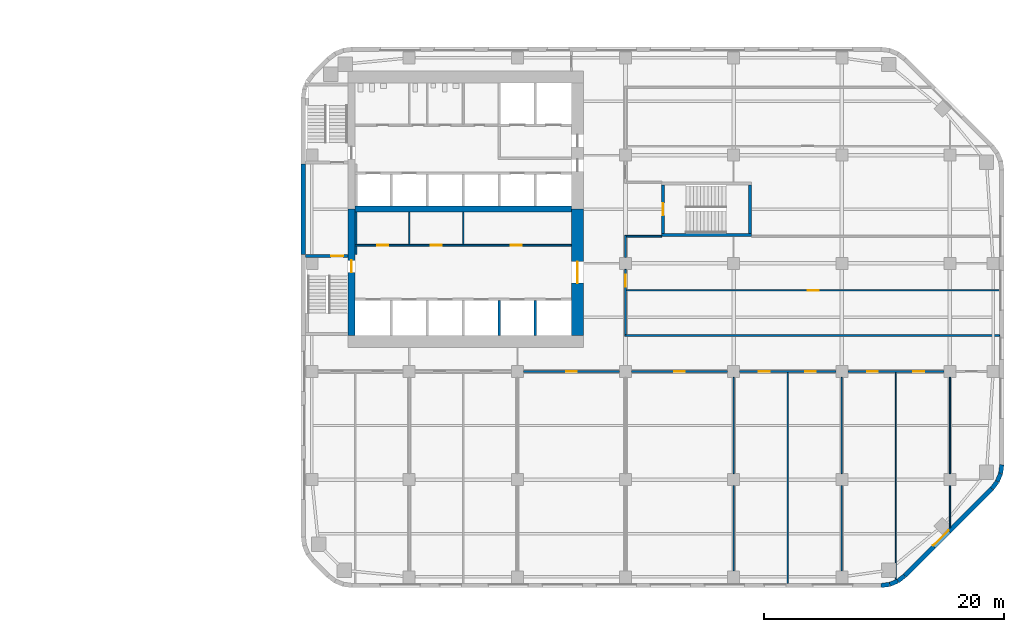
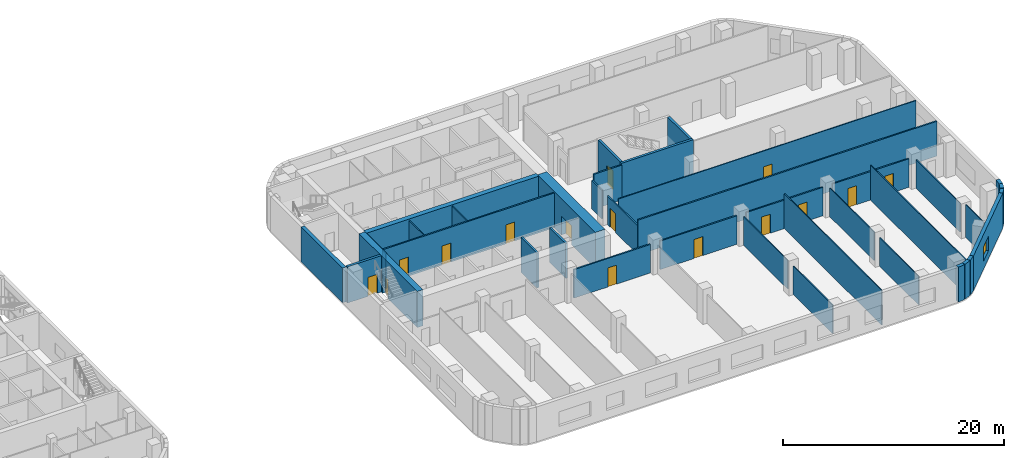
# One storey, part 9 of 15: 39 walls, 15 doors, 1 window, 16 openings.
"""IFC4 building model written with IfcOpenShell, lengths in metres."""

import ifcopenshell
import ifcopenshell.guid

model = None  # the IFC model being written
_history = None  # IfcOwnerHistory: only IFC2X3 demands one
_inside = {}  # id of a spatial element -> (the spatial element, [elements in it])
_under = {}  # id of a project, library or spatial element -> (it, [spatial elements below it])
_declared = {}  # id of a project -> (the project, [libraries it declares])
_typed = {}  # id of a type object -> (the type object, [elements of that type])
_made_of = {}  # id of a material, layer set ... -> (it, [elements and type objects made of it])


def new_model(schema):
    """Start an empty IFC model of exactly this schema.

    Asked for "IFC4X3", IfcOpenShell would pick the latest addendum, in which some entities
    have other attributes; the version numbers below select the first issue.
    IFC2X3 requires an IfcOwnerHistory on every rooted entity: one is made here for all.
    """
    global model, _history
    if schema == "IFC4X3":
        model = ifcopenshell.file(schema_version=(4, 3, 0, 0))
    else:
        model = ifcopenshell.file(schema=schema)
    _inside.clear()
    _under.clear()
    _declared.clear()
    _typed.clear()
    _made_of.clear()
    _history = None
    if model.schema == "IFC2X3":
        org = make("IfcOrganization", Name="unknown")
        user = make(
            "IfcPersonAndOrganization",
            ThePerson=make("IfcPerson", FamilyName="unknown"),
            TheOrganization=org,
        )
        app = make(
            "IfcApplication",
            ApplicationDeveloper=org,
            Version="unknown",
            ApplicationFullName="unknown",
            ApplicationIdentifier="unknown",
        )
        _history = make(
            "IfcOwnerHistory",
            OwningUser=user,
            OwningApplication=app,
            ChangeAction="ADDED",
            CreationDate=0,
        )
    return model


def make(cls, **values):
    """One entity of the class cls with the attributes given. An attribute that is None is left unset."""
    return model.create_entity(
        cls, **{name: value for name, value in values.items() if value is not None}
    )


def rooted(cls, **values):
    """An entity with a GlobalId (a new one), such as an element, a storey or a relation."""
    return make(cls, GlobalId=ifcopenshell.guid.new(), OwnerHistory=_history, **values)


def si_unit(unit_type, name, prefix=None):
    """IfcSIUnit, for example si_unit("LENGTHUNIT", "METRE", prefix="MILLI")."""
    return make("IfcSIUnit", UnitType=unit_type, Prefix=prefix, Name=name)


def assignment(units):
    """IfcUnitAssignment: the units of a project."""
    return None if units is None else make("IfcUnitAssignment", Units=units)


def point(xyz):
    """IfcCartesianPoint."""
    return None if xyz is None else make("IfcCartesianPoint", Coordinates=xyz)


def direction(xyz):
    """IfcDirection."""
    return None if xyz is None else make("IfcDirection", DirectionRatios=xyz)


def frame(location, z_axis=None, x_axis=None):
    """IfcAxis2Placement3D, a coordinate frame: its origin and axes. An axis left out is left unset."""
    return make(
        "IfcAxis2Placement3D",
        Location=point(location),
        Axis=direction(z_axis),
        RefDirection=direction(x_axis),
    )


def frame_2d(location, x_axis=None):
    """IfcAxis2Placement2D, a coordinate frame in the plane: its origin and x axis."""
    return make(
        "IfcAxis2Placement2D", Location=point(location), RefDirection=direction(x_axis)
    )


def origin():
    """The frame at (0, 0, 0) with its axes left unset."""
    return frame((0.0, 0.0, 0.0))


def place(relative_to, where):
    """IfcLocalPlacement: puts the frame where relative to a parent placement (None: the world)."""
    return make(
        "IfcLocalPlacement", PlacementRelTo=relative_to, RelativePlacement=where
    )


def context(
    kind, dimensions, precision=None, world=None, true_north=None, identifier=None
):
    """IfcGeometricRepresentationContext, for example the 3D "Model" context."""
    return make(
        "IfcGeometricRepresentationContext",
        ContextIdentifier=identifier,
        ContextType=kind,
        CoordinateSpaceDimension=dimensions,
        Precision=precision,
        WorldCoordinateSystem=world,
        TrueNorth=true_north,
    )


def subcontext(parent, identifier, kind, view, scale=None):
    """IfcGeometricRepresentationSubContext, for example "Body" below "Model"."""
    return make(
        "IfcGeometricRepresentationSubContext",
        ContextIdentifier=identifier,
        ContextType=kind,
        ParentContext=parent,
        TargetScale=scale,
        TargetView=view,
    )


def project(units=None, contexts=None):
    """IfcProject with its units and contexts."""
    return rooted(
        "IfcProject",
        Name="project",
        RepresentationContexts=contexts,
        UnitsInContext=assignment(units),
    )


def spatial(cls, under=None, at=None, **own):
    """A site, building, storey or space (cls), placed at a placement, below another one or the project."""
    s = rooted(cls, ObjectPlacement=at, **own)
    if under is not None:
        _under.setdefault(under.id(), (under, []))[1].append(s)
    return s


def profile(cls, at=None, kind="AREA", **sizes):
    """A parametric profile (cls). Its sizes go by their IFC names, for example OverallWidth=200.0."""
    return make(cls, ProfileType=kind, Position=at, **sizes)


def rectangle(**sizes):
    """IfcRectangleProfileDef."""
    return profile("IfcRectangleProfileDef", **sizes)


def extrude(swept, where, along, depth):
    """IfcExtrudedAreaSolid: the profile swept, set in the frame where, extruded along a direction by depth."""
    return make(
        "IfcExtrudedAreaSolid",
        SweptArea=swept,
        Position=where,
        ExtrudedDirection=direction(along),
        Depth=depth,
    )


def shape(context_of_items, identifier, shape_type, items):
    """IfcShapeRepresentation: the items that make up one representation, for example the "Body"."""
    return make(
        "IfcShapeRepresentation",
        ContextOfItems=context_of_items,
        RepresentationIdentifier=identifier,
        RepresentationType=shape_type,
        Items=items,
    )


def material(Name=None, Category=None):
    """IfcMaterial."""
    return make("IfcMaterial", Name=Name, Category=Category)


def layer(
    of_material, thickness, ventilated=None, Name=None, Category=None, Priority=None
):
    """IfcMaterialLayer: one layer of a wall or slab, of a material (None: an air gap)."""
    return make(
        "IfcMaterialLayer",
        Material=of_material,
        LayerThickness=thickness,
        IsVentilated=ventilated,
        Name=Name,
        Category=Category,
        Priority=Priority,
    )


def layer_set(layers, Name=None):
    """IfcMaterialLayerSet."""
    return make("IfcMaterialLayerSet", MaterialLayers=layers, LayerSetName=Name)


def made_of(thing, what):
    """Note that an element or type object is made of a material, layer set ...; save() writes the relation."""
    if what is not None:
        _made_of.setdefault(what.id(), (what, []))[1].append(thing)
    return thing


def type_object(cls, material=None, **own):
    """A type object (cls), such as IfcWallType, which elements share."""
    return made_of(rooted(cls, **own), material)


def element(
    cls,
    number,
    at=None,
    inside=None,
    cuts=None,
    type_object=None,
    material=None,
    context=None,
    identifier="Body",
    shape_type=None,
    held_by="IfcProductDefinitionShape",
    body=None,
    shapes=None,
    **own,
):
    """One element of the class cls, such as IfcWall. Its Tag is "e" and its number.

    at: its placement. inside: the storey or other place that contains it. cuts: it is an
    opening in that element (IfcRelVoidsElement). A single representation is given by context,
    identifier, shape_type and body (its items); several are given by shapes. held_by: the class
    of the entity that holds the representations. save() writes the other relations.
    """
    e = rooted(cls, Tag="e%d" % number, ObjectPlacement=at, **own)
    if body is not None:
        shapes = [shape(context, identifier, shape_type, body)]
    if shapes is not None:
        e.Representation = make(held_by, Representations=shapes)
    if inside is not None:
        _inside.setdefault(inside.id(), (inside, []))[1].append(e)
    if cuts is not None:
        rooted(
            "IfcRelVoidsElement", RelatingBuildingElement=cuts, RelatedOpeningElement=e
        )
    if type_object is not None:
        _typed.setdefault(type_object.id(), (type_object, []))[1].append(e)
    return made_of(e, material)


def fill(opening, filler):
    """IfcRelFillsElement: the door or window that sits in an opening."""
    return rooted(
        "IfcRelFillsElement",
        RelatingOpeningElement=opening,
        RelatedBuildingElement=filler,
    )


def aggregate(whole, parts):
    """IfcRelAggregates: a whole, such as a stair, and the parts it consists of."""
    return rooted("IfcRelAggregates", RelatingObject=whole, RelatedObjects=parts)


def save(model, path):
    """Write the relations noted so far, then the file.

    IfcRelAggregates (storeys below a building ...), IfcRelContainedInSpatialStructure (elements
    in a storey), IfcRelDefinesByType, IfcRelAssociatesMaterial and IfcRelDeclares: one each for
    every whole, place, type object, material and project.
    """
    for whole, parts in _under.values():
        aggregate(whole, parts)
    for where, things in _inside.values():
        rooted(
            "IfcRelContainedInSpatialStructure",
            RelatedElements=things,
            RelatingStructure=where,
        )
    for kind, things in _typed.values():
        rooted("IfcRelDefinesByType", RelatedObjects=things, RelatingType=kind)
    for what, things in _made_of.values():
        rooted("IfcRelAssociatesMaterial", RelatedObjects=things, RelatingMaterial=what)
    for by, libraries in _declared.values():
        rooted("IfcRelDeclares", RelatingContext=by, RelatedDefinitions=libraries)
    model.write(path)


model = new_model("IFC4")

# Units and contexts
model_context = context("Model", 3, precision=1e-05, world=origin(), true_north=direction((0.0, 1.0)))
body_context = subcontext(model_context, "Body", "Model", "MODEL_VIEW")
ifc_project = project(units=[si_unit("LENGTHUNIT", "METRE"), si_unit("AREAUNIT", "SQUARE_METRE"), si_unit("VOLUMEUNIT", "CUBIC_METRE"), si_unit("PLANEANGLEUNIT", "RADIAN"), si_unit("MASSUNIT", "GRAM", prefix="KILO")], contexts=[model_context])

# Site, building, storey
site_placement = place(None, origin())
site = spatial("IfcSite", under=ifc_project, at=site_placement, CompositionType="ELEMENT")
building_placement = place(site_placement, origin())
building = spatial("IfcBuilding", under=site, at=building_placement, Name="Cinnabar Reach Civic Tower", CompositionType="ELEMENT")
storey_placement = place(building_placement, frame((0.0, 0.0, 59.0)))
storey = spatial("IfcBuildingStorey", under=building, at=storey_placement, Name="L13", CompositionType="ELEMENT", Elevation=59.0)

# Walls
ifc_material_1 = material(Name="Facing brick with insulated backing", Category="masonry")
ifc_layer_1 = layer(ifc_material_1, 0.36)
ifc_layer_set_1 = layer_set([ifc_layer_1], Name="Brick corner wall")
wall_type_1 = type_object("IfcWallType", Name="Brick corner wall", PredefinedType="STANDARD", material=ifc_layer_set_1)
for number, where, z_axis, x_axis, name in (
    (1, (48.2686, 0.183, 0.0), (0.0, 0.0, 1.0), (0.99144092581, 0.13055608231, 0.0), "Brick corner wall"),
    (2, (48.9973, 0.2819, 0.0), (0.0, 0.0, 1.0), (0.923871547278, 0.382702709855, 0.0), "Brick corner wall"),
):
    element("IfcWall", number, at=place(storey_placement, frame(where, z_axis=z_axis, x_axis=x_axis)), inside=storey, type_object=wall_type_1, Name=name, PredefinedType="STANDARD", context=body_context, shape_type="SweptSolid", body=[
        extrude(rectangle(XDim=0.7131, YDim=0.36, at=frame_2d((0.3565, 0.0))), origin(), (0.0, 0.0, 1.0), 3.85),
    ])
for number, where, z_axis, x_axis, name in (
    (3, (49.6755, 0.566, 0.0), (0.0, 0.0, 1.0), (0.793321924995, 0.608802368033, 0.0), "Brick corner wall"),
    (4, (57.4998, 8.2587, 0.0), (0.0, 0.0, 1.0), (0.608802368033, 0.793321924995, 0.0), "Brick corner wall"),
):
    element("IfcWall", number, at=place(storey_placement, frame(where, z_axis=z_axis, x_axis=x_axis)), inside=storey, type_object=wall_type_1, Name=name, PredefinedType="STANDARD", context=body_context, shape_type="SweptSolid", body=[
        extrude(rectangle(XDim=0.7132, YDim=0.36, at=frame_2d((0.3566, 0.0))), origin(), (0.0, 0.0, 1.0), 3.85),
    ])
for number, where, z_axis, x_axis, name in (
    (5, (57.9452, 8.8439, 0.0), (0.0, 0.0, 1.0), (0.382702709855, 0.923871547278, 0.0), "Brick corner wall"),
    (6, (58.2239, 9.5244, 0.0), (0.0, 0.0, 1.0), (0.13055608231, 0.99144092581, 0.0), "Brick corner wall"),
):
    element("IfcWall", number, at=place(storey_placement, frame(where, z_axis=z_axis, x_axis=x_axis)), inside=storey, type_object=wall_type_1, Name=name, PredefinedType="STANDARD", context=body_context, shape_type="SweptSolid", body=[
        extrude(rectangle(XDim=0.7131, YDim=0.36, at=frame_2d((0.3565, 0.0))), origin(), (0.0, 0.0, 1.0), 3.85),
    ])

# Wall, opening, window
ifc_layer_2 = layer(ifc_material_1, 0.36)
ifc_layer_set_2 = layer_set([ifc_layer_2], Name="Brick pier and spandrel wall")
wall_type_2 = type_object("IfcWallType", Name="Brick pier and spandrel wall", PredefinedType="STANDARD", material=ifc_layer_set_2)
wall_1_placement = place(storey_placement, frame((50.2514, 1.006, 0.0), z_axis=(0.0, 0.0, 1.0), x_axis=(0.707106781187, 0.707106781187, 0.0)))
wall_1 = element("IfcWall", 7, at=wall_1_placement, inside=storey, type_object=wall_type_2, Name="Brick facade wall", PredefinedType="STANDARD", context=body_context, shape_type="SweptSolid", body=[
    extrude(rectangle(XDim=10.2426, YDim=0.36, at=frame_2d((5.1213, 0.0))), origin(), (0.0, 0.0, 1.0), 3.85),
])
opening_1_placement = place(wall_1_placement, frame((3.4213, 0.0, 0.9)))
opening_1 = element("IfcOpeningElement", 8, at=opening_1_placement, cuts=wall_1, Name="Opening W1222", PredefinedType="OPENING", context=body_context, shape_type="SweptSolid", body=[
    extrude(rectangle(XDim=1.8, YDim=1.6, at=frame_2d((0.9, 0.8))), frame((0.0, 0.19, 0.0), z_axis=(0.0, -1.0, 0.0), x_axis=(1.0, 0.0, 0.0)), (0.0, 0.0, 1.0), 0.38),
])
ifc_material_2 = material(Name="Clear double glazing in aluminium frame", Category="aluminium")
window_type = type_object("IfcWindowType", Name="Deep-set window D", PartitioningType="SINGLE_PANEL", PredefinedType="WINDOW", material=ifc_material_2)
window_placement = place(opening_1_placement, origin())
window = element("IfcWindow", 9, at=window_placement, inside=storey, type_object=window_type, Name="Window southeast face", OverallHeight=1.6, OverallWidth=1.8, PartitioningType="SINGLE_PANEL", PredefinedType="WINDOW", context=body_context, shape_type="SweptSolid", body=[
    extrude(rectangle(XDim=1.8, YDim=1.6, at=frame_2d((0.9, 0.8))), frame((0.0, 0.13, 0.0), z_axis=(0.0, -1.0, 0.0), x_axis=(1.0, 0.0, 0.0)), (0.0, 0.0, 1.0), 0.06),
])
fill(opening_1, window)

# Wall
wall_2_placement = place(storey_placement, frame((0.18, 35.25, 0.0), z_axis=(0.0, 0.0, 1.0), x_axis=(0.0, -1.0, 0.0)))
element("IfcWall", 10, at=wall_2_placement, inside=storey, type_object=wall_type_2, Name="Brick facade wall", PredefinedType="STANDARD", context=body_context, shape_type="SweptSolid", body=[
    extrude(rectangle(XDim=7.5, YDim=0.36, at=frame_2d((3.75, 0.0))), origin(), (0.0, 0.0, 1.0), 3.85),
])

# Wall, opening, door
ifc_material_3 = material(Name="Concrete C70", Category="concrete")
ifc_layer_3 = layer(ifc_material_3, 1.0)
ifc_layer_set_3 = layer_set([ifc_layer_3], Name="Core wall 1000 EI 180")
wall_type_3 = type_object("IfcWallType", Name="Core wall 1000 EI 180", PredefinedType="SOLIDWALL", material=ifc_layer_set_3)
wall_3_placement = place(storey_placement, frame((23.0, 21.0, 0.0), z_axis=(0.0, 0.0, 1.0), x_axis=(0.0, 1.0, 0.0)))
wall_3 = element("IfcWall", 11, at=wall_3_placement, inside=storey, type_object=wall_type_3, Name="Core wall T1 L13 E", PredefinedType="SOLIDWALL", context=body_context, shape_type="SweptSolid", body=[
    extrude(rectangle(XDim=10.5, YDim=1.0, at=frame_2d((5.25, 0.0))), origin(), (0.0, 0.0, 1.0), 4.0),
])
opening_2_placement = place(wall_3_placement, frame((4.35, 0.0, 0.0)))
opening_2 = element("IfcOpeningElement", 12, at=opening_2_placement, cuts=wall_3, Name="Opening D3532", PredefinedType="OPENING", context=body_context, shape_type="SweptSolid", body=[
    extrude(rectangle(XDim=1.8, YDim=2.1, at=frame_2d((0.9, 1.05))), frame((0.0, 0.51, 0.0), z_axis=(0.0, -1.0, 0.0), x_axis=(1.0, 0.0, 0.0)), (0.0, 0.0, 1.0), 1.02),
])
ifc_material_4 = material(Name="Timber door leaf in steel frame", Category="steel")
door_type_1 = type_object("IfcDoorType", Name="Double swing door 1800 x 2100 T1", OperationType="DOUBLE_DOOR_DOUBLE_SWING", PredefinedType="DOOR", material=ifc_material_4)
door_1_placement = place(opening_2_placement, origin())
door_1 = element("IfcDoor", 13, at=door_1_placement, inside=storey, type_object=door_type_1, Name="Door D3532", OperationType="DOUBLE_DOOR_DOUBLE_SWING", OverallHeight=2.1, OverallWidth=1.8, PredefinedType="DOOR", context=body_context, shape_type="SweptSolid", body=[
    extrude(rectangle(XDim=1.8, YDim=2.1, at=frame_2d((0.9, 1.05))), frame((0.0, 0.025, 0.0), z_axis=(0.0, -1.0, 0.0), x_axis=(1.0, 0.0, 0.0)), (0.0, 0.0, 1.0), 0.05),
])
fill(opening_2, door_1)

# Wall
ifc_material_5 = material(Name="Concrete C60", Category="concrete")
ifc_layer_4 = layer(ifc_material_5, 0.5)
ifc_layer_set_4 = layer_set([ifc_layer_4], Name="Core wall 500 EI 180")
wall_type_4 = type_object("IfcWallType", Name="Core wall 500 EI 180", PredefinedType="SOLIDWALL", material=ifc_layer_set_4)
wall_4_placement = place(storey_placement, frame((4.5, 31.5, 0.0), z_axis=(0.0, 0.0, 1.0), x_axis=(1.0, 0.0, 0.0)))
element("IfcWall", 14, at=wall_4_placement, inside=storey, type_object=wall_type_4, Name="Core spine wall T1 L13", PredefinedType="SOLIDWALL", context=body_context, shape_type="SweptSolid", body=[
    extrude(rectangle(XDim=18.0, YDim=0.5, at=frame_2d((9.0, 0.0))), origin(), (0.0, 0.0, 1.0), 4.0),
])

# Wall, opening, door
ifc_layer_5 = layer(ifc_material_3, 0.6)
ifc_layer_set_5 = layer_set([ifc_layer_5], Name="Core wall 600 EI 180")
wall_type_5 = type_object("IfcWallType", Name="Core wall 600 EI 180", PredefinedType="SOLIDWALL", material=ifc_layer_set_5)
wall_5_placement = place(storey_placement, frame((4.2, 31.5, 0.0), z_axis=(0.0, 0.0, 1.0), x_axis=(0.0, -1.0, 0.0)))
wall_5 = element("IfcWall", 15, at=wall_5_placement, inside=storey, type_object=wall_type_5, Name="Core wall T1 L13 W2", PredefinedType="SOLIDWALL", context=body_context, shape_type="SweptSolid", body=[
    extrude(rectangle(XDim=10.5, YDim=0.6, at=frame_2d((5.25, 0.0))), origin(), (0.0, 0.0, 1.0), 4.0),
])
opening_3_placement = place(wall_5_placement, frame((4.25, 0.0, 0.0)))
opening_3 = element("IfcOpeningElement", 16, at=opening_3_placement, cuts=wall_5, Name="Opening D3516", PredefinedType="OPENING", context=body_context, shape_type="SweptSolid", body=[
    extrude(rectangle(XDim=1.0, YDim=2.1, at=frame_2d((0.5, 1.05))), frame((0.0, 0.31, 0.0), z_axis=(0.0, -1.0, 0.0), x_axis=(1.0, 0.0, 0.0)), (0.0, 0.0, 1.0), 0.62),
])
door_type_2 = type_object("IfcDoorType", Name="Stair door 1000 x 2100 T1", OperationType="SINGLE_SWING_LEFT", PredefinedType="DOOR", material=ifc_material_4)
door_2_placement = place(opening_3_placement, frame((1.0, 0.0, 0.0), z_axis=(0.0, 0.0, 1.0), x_axis=(-1.0, 0.0, 0.0)))
door_2 = element("IfcDoor", 17, at=door_2_placement, inside=storey, type_object=door_type_2, Name="Door D3516", OperationType="SINGLE_SWING_RIGHT", OverallHeight=2.1, OverallWidth=1.0, PredefinedType="DOOR", context=body_context, shape_type="SweptSolid", body=[
    extrude(rectangle(XDim=1.0, YDim=2.1, at=frame_2d((0.5, 1.05))), frame((0.0, 0.025, 0.0), z_axis=(0.0, -1.0, 0.0), x_axis=(1.0, 0.0, 0.0)), (0.0, 0.0, 1.0), 0.05),
])
fill(opening_3, door_2)

# Wall, openings, doors
ifc_material_6 = material(Name="Gypsum board on steel studs, double layer", Category="steel")
ifc_layer_6 = layer(ifc_material_6, 0.15)
ifc_layer_set_6 = layer_set([ifc_layer_6], Name="Corridor wall 150 T1")
wall_type_6 = type_object("IfcWallType", Name="Corridor wall 150 T1", PredefinedType="PARTITIONING", material=ifc_layer_set_6)
wall_6_placement = place(storey_placement, frame((45.5, 18.0, 0.0), z_axis=(0.0, 0.0, 1.0), x_axis=(1.0, 0.0, 0.0)))
wall_6 = element("IfcWall", 18, at=wall_6_placement, inside=storey, type_object=wall_type_6, Name="Corridor wall 20", PredefinedType="PARTITIONING", context=body_context, shape_type="SweptSolid", body=[
    extrude(rectangle(XDim=8.0, YDim=0.15, at=frame_2d((4.0, 0.0))), origin(), (0.0, 0.0, 1.0), 3.15),
])
opening_4_placement = place(wall_6_placement, frame((1.6, 0.0, 0.0)))
opening_4 = element("IfcOpeningElement", 19, at=opening_4_placement, cuts=wall_6, Name="Opening D3555", PredefinedType="OPENING", context=body_context, shape_type="SweptSolid", body=[
    extrude(rectangle(XDim=0.9, YDim=2.1, at=frame_2d((0.45, 1.05))), frame((0.0, 0.085, 0.0), z_axis=(0.0, -1.0, 0.0), x_axis=(1.0, 0.0, 0.0)), (0.0, 0.0, 1.0), 0.17),
])
opening_5_placement = place(wall_6_placement, frame((5.45, 0.0, 0.0)))
opening_5 = element("IfcOpeningElement", 20, at=opening_5_placement, cuts=wall_6, Name="Opening D3556", PredefinedType="OPENING", context=body_context, shape_type="SweptSolid", body=[
    extrude(rectangle(XDim=0.9, YDim=2.1, at=frame_2d((0.45, 1.05))), frame((0.0, 0.085, 0.0), z_axis=(0.0, -1.0, 0.0), x_axis=(1.0, 0.0, 0.0)), (0.0, 0.0, 1.0), 0.17),
])
door_type_3 = type_object("IfcDoorType", Name="Single swing door 900 x 2100 corridor T1", OperationType="SINGLE_SWING_LEFT", PredefinedType="DOOR", material=ifc_material_4)
door_3_placement = place(opening_4_placement, frame((0.9, 0.0, 0.0), z_axis=(0.0, 0.0, 1.0), x_axis=(-1.0, 0.0, 0.0)))
door_3 = element("IfcDoor", 21, at=door_3_placement, inside=storey, type_object=door_type_3, Name="Door D3555", OperationType="SINGLE_SWING_LEFT", OverallHeight=2.1, OverallWidth=0.9, PredefinedType="DOOR", context=body_context, shape_type="SweptSolid", body=[
    extrude(rectangle(XDim=0.9, YDim=2.1, at=frame_2d((0.45, 1.05))), frame((0.0, 0.025, 0.0), z_axis=(0.0, -1.0, 0.0), x_axis=(1.0, 0.0, 0.0)), (0.0, 0.0, 1.0), 0.05),
])
fill(opening_4, door_3)
door_4_placement = place(opening_5_placement, frame((0.9, 0.0, 0.0), z_axis=(0.0, 0.0, 1.0), x_axis=(-1.0, 0.0, 0.0)))
door_4 = element("IfcDoor", 22, at=door_4_placement, inside=storey, type_object=door_type_3, Name="Door D3556", OperationType="SINGLE_SWING_RIGHT", OverallHeight=2.1, OverallWidth=0.9, PredefinedType="DOOR", context=body_context, shape_type="SweptSolid", body=[
    extrude(rectangle(XDim=0.9, YDim=2.1, at=frame_2d((0.45, 1.05))), frame((0.0, 0.025, 0.0), z_axis=(0.0, -1.0, 0.0), x_axis=(1.0, 0.0, 0.0)), (0.0, 0.0, 1.0), 0.05),
])
fill(opening_5, door_4)

wall_7_placement = place(storey_placement, frame((36.5, 18.0, 0.0), z_axis=(0.0, 0.0, 1.0), x_axis=(1.0, 0.0, 0.0)))
wall_7 = element("IfcWall", 23, at=wall_7_placement, inside=storey, type_object=wall_type_6, Name="Corridor wall 21", PredefinedType="PARTITIONING", context=body_context, shape_type="SweptSolid", body=[
    extrude(rectangle(XDim=8.0, YDim=0.15, at=frame_2d((4.0, 0.0))), origin(), (0.0, 0.0, 1.0), 3.15),
])
opening_6_placement = place(wall_7_placement, frame((1.6, 0.0, 0.0)))
opening_6 = element("IfcOpeningElement", 24, at=opening_6_placement, cuts=wall_7, Name="Opening D3553", PredefinedType="OPENING", context=body_context, shape_type="SweptSolid", body=[
    extrude(rectangle(XDim=0.9, YDim=2.1, at=frame_2d((0.45, 1.05))), frame((0.0, 0.085, 0.0), z_axis=(0.0, -1.0, 0.0), x_axis=(1.0, 0.0, 0.0)), (0.0, 0.0, 1.0), 0.17),
])
opening_7_placement = place(wall_7_placement, frame((5.45, 0.0, 0.0)))
opening_7 = element("IfcOpeningElement", 25, at=opening_7_placement, cuts=wall_7, Name="Opening D3554", PredefinedType="OPENING", context=body_context, shape_type="SweptSolid", body=[
    extrude(rectangle(XDim=0.9, YDim=2.1, at=frame_2d((0.45, 1.05))), frame((0.0, 0.085, 0.0), z_axis=(0.0, -1.0, 0.0), x_axis=(1.0, 0.0, 0.0)), (0.0, 0.0, 1.0), 0.17),
])
door_5_placement = place(opening_6_placement, frame((0.9, 0.0, 0.0), z_axis=(0.0, 0.0, 1.0), x_axis=(-1.0, 0.0, 0.0)))
door_5 = element("IfcDoor", 26, at=door_5_placement, inside=storey, type_object=door_type_3, Name="Door D3553", OperationType="SINGLE_SWING_LEFT", OverallHeight=2.1, OverallWidth=0.9, PredefinedType="DOOR", context=body_context, shape_type="SweptSolid", body=[
    extrude(rectangle(XDim=0.9, YDim=2.1, at=frame_2d((0.45, 1.05))), frame((0.0, 0.025, 0.0), z_axis=(0.0, -1.0, 0.0), x_axis=(1.0, 0.0, 0.0)), (0.0, 0.0, 1.0), 0.05),
])
fill(opening_6, door_5)
door_6_placement = place(opening_7_placement, frame((0.9, 0.0, 0.0), z_axis=(0.0, 0.0, 1.0), x_axis=(-1.0, 0.0, 0.0)))
door_6 = element("IfcDoor", 27, at=door_6_placement, inside=storey, type_object=door_type_3, Name="Door D3554", OperationType="SINGLE_SWING_LEFT", OverallHeight=2.1, OverallWidth=0.9, PredefinedType="DOOR", context=body_context, shape_type="SweptSolid", body=[
    extrude(rectangle(XDim=0.9, YDim=2.1, at=frame_2d((0.45, 1.05))), frame((0.0, 0.025, 0.0), z_axis=(0.0, -1.0, 0.0), x_axis=(1.0, 0.0, 0.0)), (0.0, 0.0, 1.0), 0.05),
])
fill(opening_7, door_6)

# Wall, opening, door
wall_8_placement = place(storey_placement, frame((27.5, 18.0, 0.0), z_axis=(0.0, 0.0, 1.0), x_axis=(1.0, 0.0, 0.0)))
wall_8 = element("IfcWall", 28, at=wall_8_placement, inside=storey, type_object=wall_type_6, Name="Corridor wall 22", PredefinedType="PARTITIONING", context=body_context, shape_type="SweptSolid", body=[
    extrude(rectangle(XDim=8.0, YDim=0.15, at=frame_2d((4.0, 0.0))), origin(), (0.0, 0.0, 1.0), 3.15),
])
opening_8_placement = place(wall_8_placement, frame((3.55, 0.0, 0.0)))
opening_8 = element("IfcOpeningElement", 29, at=opening_8_placement, cuts=wall_8, Name="Opening D3552", PredefinedType="OPENING", context=body_context, shape_type="SweptSolid", body=[
    extrude(rectangle(XDim=0.9, YDim=2.1, at=frame_2d((0.45, 1.05))), frame((0.0, 0.085, 0.0), z_axis=(0.0, -1.0, 0.0), x_axis=(1.0, 0.0, 0.0)), (0.0, 0.0, 1.0), 0.17),
])
door_7_placement = place(opening_8_placement, frame((0.9, 0.0, 0.0), z_axis=(0.0, 0.0, 1.0), x_axis=(-1.0, 0.0, 0.0)))
door_7 = element("IfcDoor", 30, at=door_7_placement, inside=storey, type_object=door_type_3, Name="Door D3552", OperationType="SINGLE_SWING_RIGHT", OverallHeight=2.1, OverallWidth=0.9, PredefinedType="DOOR", context=body_context, shape_type="SweptSolid", body=[
    extrude(rectangle(XDim=0.9, YDim=2.1, at=frame_2d((0.45, 1.05))), frame((0.0, 0.025, 0.0), z_axis=(0.0, -1.0, 0.0), x_axis=(1.0, 0.0, 0.0)), (0.0, 0.0, 1.0), 0.05),
])
fill(opening_8, door_7)

wall_9_placement = place(storey_placement, frame((18.5, 18.0, 0.0), z_axis=(0.0, 0.0, 1.0), x_axis=(1.0, 0.0, 0.0)))
wall_9 = element("IfcWall", 31, at=wall_9_placement, inside=storey, type_object=wall_type_6, Name="Corridor wall 23", PredefinedType="PARTITIONING", context=body_context, shape_type="SweptSolid", body=[
    extrude(rectangle(XDim=8.0, YDim=0.15, at=frame_2d((4.0, 0.0))), origin(), (0.0, 0.0, 1.0), 3.15),
])
opening_9_placement = place(wall_9_placement, frame((3.55, 0.0, 0.0)))
opening_9 = element("IfcOpeningElement", 32, at=opening_9_placement, cuts=wall_9, Name="Opening D3551", PredefinedType="OPENING", context=body_context, shape_type="SweptSolid", body=[
    extrude(rectangle(XDim=0.9, YDim=2.1, at=frame_2d((0.45, 1.05))), frame((0.0, 0.085, 0.0), z_axis=(0.0, -1.0, 0.0), x_axis=(1.0, 0.0, 0.0)), (0.0, 0.0, 1.0), 0.17),
])
door_8_placement = place(opening_9_placement, frame((0.9, 0.0, 0.0), z_axis=(0.0, 0.0, 1.0), x_axis=(-1.0, 0.0, 0.0)))
door_8 = element("IfcDoor", 33, at=door_8_placement, inside=storey, type_object=door_type_3, Name="Door D3551", OperationType="SINGLE_SWING_RIGHT", OverallHeight=2.1, OverallWidth=0.9, PredefinedType="DOOR", context=body_context, shape_type="SweptSolid", body=[
    extrude(rectangle(XDim=0.9, YDim=2.1, at=frame_2d((0.45, 1.05))), frame((0.0, 0.025, 0.0), z_axis=(0.0, -1.0, 0.0), x_axis=(1.0, 0.0, 0.0)), (0.0, 0.0, 1.0), 0.05),
])
fill(opening_9, door_8)

# Wall
wall_10_placement = place(storey_placement, frame((26.925, 21.0, 0.0), z_axis=(0.0, 0.0, 1.0), x_axis=(1.0, 0.0, 0.0)))
element("IfcWall", 34, at=wall_10_placement, inside=storey, type_object=wall_type_6, Name="Corridor wall 26", PredefinedType="PARTITIONING", context=body_context, shape_type="SweptSolid", body=[
    extrude(rectangle(XDim=31.215, YDim=0.15, at=frame_2d((15.6075, 0.0))), origin(), (0.0, 0.0, 1.0), 3.85),
])

# Wall, openings, doors
wall_11_placement = place(storey_placement, frame((4.5, 28.5, 0.0), z_axis=(0.0, 0.0, 1.0), x_axis=(1.0, 0.0, 0.0)))
wall_11 = element("IfcWall", 35, at=wall_11_placement, inside=storey, type_object=wall_type_6, Name="Corridor wall 28", PredefinedType="PARTITIONING", context=body_context, shape_type="SweptSolid", body=[
    extrude(rectangle(XDim=18.0, YDim=0.15, at=frame_2d((9.0, 0.0))), origin(), (0.0, 0.0, 1.0), 3.85),
])
opening_10_placement = place(wall_11_placement, frame((1.85, 0.0, 0.0)))
opening_10 = element("IfcOpeningElement", 36, at=opening_10_placement, cuts=wall_11, Name="Opening D3536", PredefinedType="OPENING", context=body_context, shape_type="SweptSolid", body=[
    extrude(rectangle(XDim=0.9, YDim=2.1, at=frame_2d((0.45, 1.05))), frame((0.0, 0.085, 0.0), z_axis=(0.0, -1.0, 0.0), x_axis=(1.0, 0.0, 0.0)), (0.0, 0.0, 1.0), 0.17),
])
opening_11_placement = place(wall_11_placement, frame((6.3, 0.0, 0.0)))
opening_11 = element("IfcOpeningElement", 37, at=opening_11_placement, cuts=wall_11, Name="Opening D3537", PredefinedType="OPENING", context=body_context, shape_type="SweptSolid", body=[
    extrude(rectangle(XDim=0.9, YDim=2.1, at=frame_2d((0.45, 1.05))), frame((0.0, 0.085, 0.0), z_axis=(0.0, -1.0, 0.0), x_axis=(1.0, 0.0, 0.0)), (0.0, 0.0, 1.0), 0.17),
])
opening_12_placement = place(wall_11_placement, frame((12.95, 0.0, 0.0)))
opening_12 = element("IfcOpeningElement", 38, at=opening_12_placement, cuts=wall_11, Name="Opening D3538", PredefinedType="OPENING", context=body_context, shape_type="SweptSolid", body=[
    extrude(rectangle(XDim=0.9, YDim=2.1, at=frame_2d((0.45, 1.05))), frame((0.0, 0.085, 0.0), z_axis=(0.0, -1.0, 0.0), x_axis=(1.0, 0.0, 0.0)), (0.0, 0.0, 1.0), 0.17),
])
door_9_placement = place(opening_10_placement, origin())
door_9 = element("IfcDoor", 39, at=door_9_placement, inside=storey, type_object=door_type_3, Name="Door D3536", OperationType="SINGLE_SWING_RIGHT", OverallHeight=2.1, OverallWidth=0.9, PredefinedType="DOOR", context=body_context, shape_type="SweptSolid", body=[
    extrude(rectangle(XDim=0.9, YDim=2.1, at=frame_2d((0.45, 1.05))), frame((0.0, 0.025, 0.0), z_axis=(0.0, -1.0, 0.0), x_axis=(1.0, 0.0, 0.0)), (0.0, 0.0, 1.0), 0.05),
])
fill(opening_10, door_9)
door_10_placement = place(opening_11_placement, origin())
door_10 = element("IfcDoor", 40, at=door_10_placement, inside=storey, type_object=door_type_3, Name="Door D3537", OperationType="SINGLE_SWING_RIGHT", OverallHeight=2.1, OverallWidth=0.9, PredefinedType="DOOR", context=body_context, shape_type="SweptSolid", body=[
    extrude(rectangle(XDim=0.9, YDim=2.1, at=frame_2d((0.45, 1.05))), frame((0.0, 0.025, 0.0), z_axis=(0.0, -1.0, 0.0), x_axis=(1.0, 0.0, 0.0)), (0.0, 0.0, 1.0), 0.05),
])
fill(opening_11, door_10)
door_11_placement = place(opening_12_placement, origin())
door_11 = element("IfcDoor", 41, at=door_11_placement, inside=storey, type_object=door_type_3, Name="Door D3538", OperationType="SINGLE_SWING_LEFT", OverallHeight=2.1, OverallWidth=0.9, PredefinedType="DOOR", context=body_context, shape_type="SweptSolid", body=[
    extrude(rectangle(XDim=0.9, YDim=2.1, at=frame_2d((0.45, 1.05))), frame((0.0, 0.025, 0.0), z_axis=(0.0, -1.0, 0.0), x_axis=(1.0, 0.0, 0.0)), (0.0, 0.0, 1.0), 0.05),
])
fill(opening_12, door_11)

# Wall, opening, door
wall_12_placement = place(storey_placement, frame((27.0, 21.075, 0.0), z_axis=(0.0, 0.0, 1.0), x_axis=(0.0, 1.0, 0.0)))
wall_12 = element("IfcWall", 42, at=wall_12_placement, inside=storey, type_object=wall_type_6, Name="Corridor wall 30", PredefinedType="PARTITIONING", context=body_context, shape_type="SweptSolid", body=[
    extrude(rectangle(XDim=5.425, YDim=0.15, at=frame_2d((2.7125, 0.0))), origin(), (0.0, 0.0, 1.0), 3.158),
])
opening_13_placement = place(wall_12_placement, frame((3.975, 0.0, 0.0)))
opening_13 = element("IfcOpeningElement", 43, at=opening_13_placement, cuts=wall_12, Name="Opening D3545", PredefinedType="OPENING", context=body_context, shape_type="SweptSolid", body=[
    extrude(rectangle(XDim=1.0, YDim=2.1, at=frame_2d((0.5, 1.05))), frame((0.0, 0.085, 0.0), z_axis=(0.0, -1.0, 0.0), x_axis=(1.0, 0.0, 0.0)), (0.0, 0.0, 1.0), 0.17),
])
door_type_4 = type_object("IfcDoorType", Name="Tenancy entrance door 1000 x 2100 T1", OperationType="SINGLE_SWING_LEFT", PredefinedType="DOOR", material=ifc_material_4)
door_12_placement = place(opening_13_placement, frame((1.0, 0.0, 0.0), z_axis=(0.0, 0.0, 1.0), x_axis=(-1.0, 0.0, 0.0)))
door_12 = element("IfcDoor", 44, at=door_12_placement, inside=storey, type_object=door_type_4, Name="Door D3545", OperationType="SINGLE_SWING_RIGHT", OverallHeight=2.1, OverallWidth=1.0, PredefinedType="DOOR", context=body_context, shape_type="SweptSolid", body=[
    extrude(rectangle(XDim=1.0, YDim=2.1, at=frame_2d((0.5, 1.05))), frame((0.0, 0.025, 0.0), z_axis=(0.0, -1.0, 0.0), x_axis=(1.0, 0.0, 0.0)), (0.0, 0.0, 1.0), 0.05),
])
fill(opening_13, door_12)

# Walls
wall_13_placement = place(storey_placement, frame((27.0, 27.5, 0.0), z_axis=(0.0, 0.0, 1.0), x_axis=(0.0, 1.0, 0.0)))
element("IfcWall", 45, at=wall_13_placement, inside=storey, type_object=wall_type_6, Name="Corridor wall 31", PredefinedType="PARTITIONING", context=body_context, shape_type="SweptSolid", body=[
    extrude(rectangle(XDim=1.825, YDim=0.15, at=frame_2d((0.9125, 0.0))), origin(), (0.0, 0.0, 1.0), 3.158),
])
wall_14_placement = place(storey_placement, frame((4.575, 27.75, 0.0), z_axis=(0.0, 0.0, 1.0), x_axis=(0.0, 1.0, 0.0)))
element("IfcWall", 46, at=wall_14_placement, inside=storey, type_object=wall_type_6, Name="Corridor wall 34", PredefinedType="PARTITIONING", context=body_context, shape_type="SweptSolid", body=[
    extrude(rectangle(XDim=0.675, YDim=0.15, at=frame_2d((0.3375, 0.0))), origin(), (0.0, 0.0, 1.0), 3.85),
])
wall_15_placement = place(storey_placement, frame((4.575, 28.575, 0.0), z_axis=(0.0, 0.0, 1.0), x_axis=(0.0, 1.0, 0.0)))
element("IfcWall", 47, at=wall_15_placement, inside=storey, type_object=wall_type_6, Name="Corridor wall 35", PredefinedType="PARTITIONING", context=body_context, shape_type="SweptSolid", body=[
    extrude(rectangle(XDim=2.675, YDim=0.15, at=frame_2d((1.3375, 0.0))), origin(), (0.0, 0.0, 1.0), 3.85),
])
wall_16_placement = place(storey_placement, frame((27.075, 29.25, 0.0), z_axis=(0.0, 0.0, 1.0), x_axis=(1.0, 0.0, 0.0)))
element("IfcWall", 48, at=wall_16_placement, inside=storey, type_object=wall_type_6, Name="Corridor wall 36", PredefinedType="PARTITIONING", context=body_context, shape_type="SweptSolid", body=[
    extrude(rectangle(XDim=2.925, YDim=0.15, at=frame_2d((1.4625, 0.0))), origin(), (0.0, 0.0, 1.0), 3.85),
])
ifc_material_7 = material(Name="Blockwork", Category="masonry")
ifc_layer_7 = layer(ifc_material_7, 0.2)
ifc_layer_set_7 = layer_set([ifc_layer_7], Name="Lift shaft wall 200 T1")
wall_type_7 = type_object("IfcWallType", Name="Lift shaft wall 200 T1", PredefinedType="PARTITIONING", material=ifc_layer_set_7)
for number, where, z_axis, x_axis, name in (
    (49, (16.5, 21.0, 0.0), (0.0, 0.0, 1.0), (0.0, 1.0, 0.0), "Lift shaft wall 15"),
    (50, (19.5, 21.0, 0.0), (0.0, 0.0, 1.0), (0.0, 1.0, 0.0), "Lift shaft wall 17"),
):
    element("IfcWall", number, at=place(storey_placement, frame(where, z_axis=z_axis, x_axis=x_axis)), inside=storey, type_object=wall_type_7, Name=name, PredefinedType="PARTITIONING", context=body_context, shape_type="SweptSolid", body=[
        extrude(rectangle(XDim=2.9, YDim=0.2, at=frame_2d((1.45, 0.0))), origin(), (0.0, 0.0, 1.0), 3.85),
    ])

# Wall, opening, door
ifc_material_8 = material(Name="Gypsum board on steel studs", Category="steel")
ifc_layer_8 = layer(ifc_material_8, 0.1)
ifc_layer_set_8 = layer_set([ifc_layer_8], Name="Partition wall 100 T1")
wall_type_8 = type_object("IfcWallType", Name="Partition wall 100 T1", PredefinedType="PARTITIONING", material=ifc_layer_set_8)
wall_17_placement = place(storey_placement, frame((27.075, 24.75, 0.0), z_axis=(0.0, 0.0, 1.0), x_axis=(1.0, 0.0, 0.0)))
wall_17 = element("IfcWall", 51, at=wall_17_placement, inside=storey, type_object=wall_type_8, Name="Partition wall 42", PredefinedType="PARTITIONING", context=body_context, shape_type="SweptSolid", body=[
    extrude(rectangle(XDim=31.065, YDim=0.1, at=frame_2d((15.5325, 0.0))), origin(), (0.0, 0.0, 1.0), 3.85),
])
opening_14_placement = place(wall_17_placement, frame((15.1, 0.0, 0.0)))
opening_14 = element("IfcOpeningElement", 52, at=opening_14_placement, cuts=wall_17, Name="Opening D3546", PredefinedType="OPENING", context=body_context, shape_type="SweptSolid", body=[
    extrude(rectangle(XDim=0.9, YDim=2.1, at=frame_2d((0.45, 1.05))), frame((0.0, 0.06, 0.0), z_axis=(0.0, -1.0, 0.0), x_axis=(1.0, 0.0, 0.0)), (0.0, 0.0, 1.0), 0.12),
])
door_type_5 = type_object("IfcDoorType", Name="Single swing door 900 x 2100 T1", OperationType="SINGLE_SWING_LEFT", PredefinedType="DOOR", material=ifc_material_4)
door_13_placement = place(opening_14_placement, frame((0.9, 0.0, 0.0), z_axis=(0.0, 0.0, 1.0), x_axis=(-1.0, 0.0, 0.0)))
door_13 = element("IfcDoor", 53, at=door_13_placement, inside=storey, type_object=door_type_5, Name="Door D3546", OperationType="SINGLE_SWING_RIGHT", OverallHeight=2.1, OverallWidth=0.9, PredefinedType="DOOR", context=body_context, shape_type="SweptSolid", body=[
    extrude(rectangle(XDim=0.9, YDim=2.1, at=frame_2d((0.45, 1.05))), frame((0.0, 0.025, 0.0), z_axis=(0.0, -1.0, 0.0), x_axis=(1.0, 0.0, 0.0)), (0.0, 0.0, 1.0), 0.05),
])
fill(opening_14, door_13)

# Walls
wall_18_placement = place(storey_placement, frame((36.0, 1.4, 0.0), z_axis=(0.0, 0.0, 1.0), x_axis=(0.0, 1.0, 0.0)))
element("IfcWall", 54, at=wall_18_placement, inside=storey, type_object=wall_type_8, Name="Partition wall 52", PredefinedType="PARTITIONING", context=body_context, shape_type="SweptSolid", body=[
    extrude(rectangle(XDim=7.1, YDim=0.1, at=frame_2d((3.55, 0.0))), origin(), (0.0, 0.0, 1.0), 3.158),
])
wall_19_placement = place(storey_placement, frame((36.0, 9.5, 0.0), z_axis=(0.0, 0.0, 1.0), x_axis=(0.0, 1.0, 0.0)))
element("IfcWall", 55, at=wall_19_placement, inside=storey, type_object=wall_type_8, Name="Partition wall 53", PredefinedType="PARTITIONING", context=body_context, shape_type="SweptSolid", body=[
    extrude(rectangle(XDim=8.0, YDim=0.1, at=frame_2d((4.0, 0.0))), origin(), (0.0, 0.0, 1.0), 3.158),
])
wall_20_placement = place(storey_placement, frame((40.5, 0.36, 0.0), z_axis=(0.0, 0.0, 1.0), x_axis=(0.0, 1.0, 0.0)))
element("IfcWall", 56, at=wall_20_placement, inside=storey, type_object=wall_type_8, Name="Partition wall 54", PredefinedType="PARTITIONING", context=body_context, shape_type="SweptSolid", body=[
    extrude(rectangle(XDim=17.565, YDim=0.1, at=frame_2d((8.7825, 0.0))), origin(), (0.0, 0.0, 1.0), 3.85),
])
wall_21_placement = place(storey_placement, frame((45.0, 1.4, 0.0), z_axis=(0.0, 0.0, 1.0), x_axis=(0.0, 1.0, 0.0)))
element("IfcWall", 57, at=wall_21_placement, inside=storey, type_object=wall_type_8, Name="Partition wall 55", PredefinedType="PARTITIONING", context=body_context, shape_type="SweptSolid", body=[
    extrude(rectangle(XDim=7.1, YDim=0.1, at=frame_2d((3.55, 0.0))), origin(), (0.0, 0.0, 1.0), 3.158),
])
wall_22_placement = place(storey_placement, frame((45.0, 9.5, 0.0), z_axis=(0.0, 0.0, 1.0), x_axis=(0.0, 1.0, 0.0)))
element("IfcWall", 58, at=wall_22_placement, inside=storey, type_object=wall_type_8, Name="Partition wall 56", PredefinedType="PARTITIONING", context=body_context, shape_type="SweptSolid", body=[
    extrude(rectangle(XDim=8.0, YDim=0.1, at=frame_2d((4.0, 0.0))), origin(), (0.0, 0.0, 1.0), 3.158),
])
wall_23_placement = place(storey_placement, frame((49.5, 0.7057, 0.0), z_axis=(0.0, 0.0, 1.0), x_axis=(0.0, 1.0, 0.0)))
element("IfcWall", 59, at=wall_23_placement, inside=storey, type_object=wall_type_8, Name="Partition wall 57", PredefinedType="PARTITIONING", context=body_context, shape_type="SweptSolid", body=[
    extrude(rectangle(XDim=17.2193, YDim=0.1, at=frame_2d((8.6097, 0.0))), origin(), (0.0, 0.0, 1.0), 3.85),
])
wall_24_placement = place(storey_placement, frame((54.0, 5.0091, 0.0), z_axis=(0.0, 0.0, 1.0), x_axis=(0.0, 1.0, 0.0)))
element("IfcWall", 60, at=wall_24_placement, inside=storey, type_object=wall_type_8, Name="Partition wall 58", PredefinedType="PARTITIONING", context=body_context, shape_type="SweptSolid", body=[
    extrude(rectangle(XDim=3.4909, YDim=0.1, at=frame_2d((1.7454, 0.0))), origin(), (0.0, 0.0, 1.0), 3.652),
])
wall_25_placement = place(storey_placement, frame((54.0, 9.5, 0.0), z_axis=(0.0, 0.0, 1.0), x_axis=(0.0, 1.0, 0.0)))
element("IfcWall", 61, at=wall_25_placement, inside=storey, type_object=wall_type_8, Name="Partition wall 59", PredefinedType="PARTITIONING", context=body_context, shape_type="SweptSolid", body=[
    extrude(rectangle(XDim=8.0, YDim=0.1, at=frame_2d((4.0, 0.0))), origin(), (0.0, 0.0, 1.0), 3.158),
])
for number, where, z_axis, x_axis, name in (
    (62, (9.0, 28.575, 0.0), (0.0, 0.0, 1.0), (0.0, 1.0, 0.0), "Partition wall 62"),
    (63, (13.5, 28.575, 0.0), (0.0, 0.0, 1.0), (0.0, 1.0, 0.0), "Partition wall 63"),
):
    element("IfcWall", number, at=place(storey_placement, frame(where, z_axis=z_axis, x_axis=x_axis)), inside=storey, type_object=wall_type_8, Name=name, PredefinedType="PARTITIONING", context=body_context, shape_type="SweptSolid", body=[
        extrude(rectangle(XDim=2.675, YDim=0.1, at=frame_2d((1.3375, 0.0))), origin(), (0.0, 0.0, 1.0), 3.85),
    ])

# Wall, opening, door
ifc_layer_9 = layer(ifc_material_5, 0.25)
ifc_layer_set_9 = layer_set([ifc_layer_9], Name="Stair shaft wall 250 EI 120")
wall_type_9 = type_object("IfcWallType", Name="Stair shaft wall 250 EI 120", PredefinedType="SOLIDWALL", material=ifc_layer_set_9)
wall_26_placement = place(storey_placement, frame((3.9, 27.625, 0.0), z_axis=(0.0, 0.0, 1.0), x_axis=(-1.0, 0.0, 0.0)))
wall_26 = element("IfcWall", 64, at=wall_26_placement, inside=storey, type_object=wall_type_9, Name="Stair shaft wall T1-S1 L13", PredefinedType="SOLIDWALL", context=body_context, shape_type="SweptSolid", body=[
    extrude(rectangle(XDim=3.54, YDim=0.25, at=frame_2d((1.77, 0.0))), origin(), (0.0, 0.0, 1.0), 4.0),
])
opening_15_placement = place(wall_26_placement, frame((0.4, 0.0, 0.0)))
opening_15 = element("IfcOpeningElement", 65, at=opening_15_placement, cuts=wall_26, Name="Opening D3517", PredefinedType="OPENING", context=body_context, shape_type="SweptSolid", body=[
    extrude(rectangle(XDim=1.0, YDim=2.1, at=frame_2d((0.5, 1.05))), frame((0.0, 0.135, 0.0), z_axis=(0.0, -1.0, 0.0), x_axis=(1.0, 0.0, 0.0)), (0.0, 0.0, 1.0), 0.27),
])
door_14_placement = place(opening_15_placement, origin())
door_14 = element("IfcDoor", 66, at=door_14_placement, inside=storey, type_object=door_type_2, Name="Door D3517", OperationType="SINGLE_SWING_LEFT", OverallHeight=2.1, OverallWidth=1.0, PredefinedType="DOOR", context=body_context, shape_type="SweptSolid", body=[
    extrude(rectangle(XDim=1.0, YDim=2.1, at=frame_2d((0.5, 1.05))), frame((0.0, 0.025, 0.0), z_axis=(0.0, -1.0, 0.0), x_axis=(1.0, 0.0, 0.0)), (0.0, 0.0, 1.0), 0.05),
])
fill(opening_15, door_14)

# Walls
wall_27_placement = place(storey_placement, frame((30.0, 29.375, 0.0), z_axis=(0.0, 0.0, 1.0), x_axis=(1.0, 0.0, 0.0)))
element("IfcWall", 67, at=wall_27_placement, inside=storey, type_object=wall_type_9, Name="Stair shaft wall T1-S3 L13", PredefinedType="SOLIDWALL", context=body_context, shape_type="SweptSolid", body=[
    extrude(rectangle(XDim=7.5, YDim=0.25, at=frame_2d((3.75, 0.0))), origin(), (0.0, 0.0, 1.0), 4.0),
])
wall_28_placement = place(storey_placement, frame((37.375, 29.5, 0.0), z_axis=(0.0, 0.0, 1.0), x_axis=(0.0, 1.0, 0.0)))
element("IfcWall", 68, at=wall_28_placement, inside=storey, type_object=wall_type_9, Name="Stair shaft wall T1-S3 L13", PredefinedType="SOLIDWALL", context=body_context, shape_type="SweptSolid", body=[
    extrude(rectangle(XDim=4.0, YDim=0.25, at=frame_2d((2.0, 0.0))), origin(), (0.0, 0.0, 1.0), 4.0),
])

# Wall, opening, door
wall_29_placement = place(storey_placement, frame((30.125, 33.5, 0.0), z_axis=(0.0, 0.0, 1.0), x_axis=(0.0, -1.0, 0.0)))
wall_29 = element("IfcWall", 69, at=wall_29_placement, inside=storey, type_object=wall_type_9, Name="Stair shaft wall T1-S3 L13", PredefinedType="SOLIDWALL", context=body_context, shape_type="SweptSolid", body=[
    extrude(rectangle(XDim=4.0, YDim=0.25, at=frame_2d((2.0, 0.0))), origin(), (0.0, 0.0, 1.0), 4.0),
])
opening_16_placement = place(wall_29_placement, frame((1.5, 0.0, 0.0)))
opening_16 = element("IfcOpeningElement", 70, at=opening_16_placement, cuts=wall_29, Name="Opening D3535", PredefinedType="OPENING", context=body_context, shape_type="SweptSolid", body=[
    extrude(rectangle(XDim=1.0, YDim=2.1, at=frame_2d((0.5, 1.05))), frame((0.0, 0.135, 0.0), z_axis=(0.0, -1.0, 0.0), x_axis=(1.0, 0.0, 0.0)), (0.0, 0.0, 1.0), 0.27),
])
door_15_placement = place(opening_16_placement, origin())
door_15 = element("IfcDoor", 71, at=door_15_placement, inside=storey, type_object=door_type_2, Name="Door D3535", OperationType="SINGLE_SWING_LEFT", OverallHeight=2.1, OverallWidth=1.0, PredefinedType="DOOR", context=body_context, shape_type="SweptSolid", body=[
    extrude(rectangle(XDim=1.0, YDim=2.1, at=frame_2d((0.5, 1.05))), frame((0.0, 0.025, 0.0), z_axis=(0.0, -1.0, 0.0), x_axis=(1.0, 0.0, 0.0)), (0.0, 0.0, 1.0), 0.05),
])
fill(opening_16, door_15)

save(model, "model.ifc")
